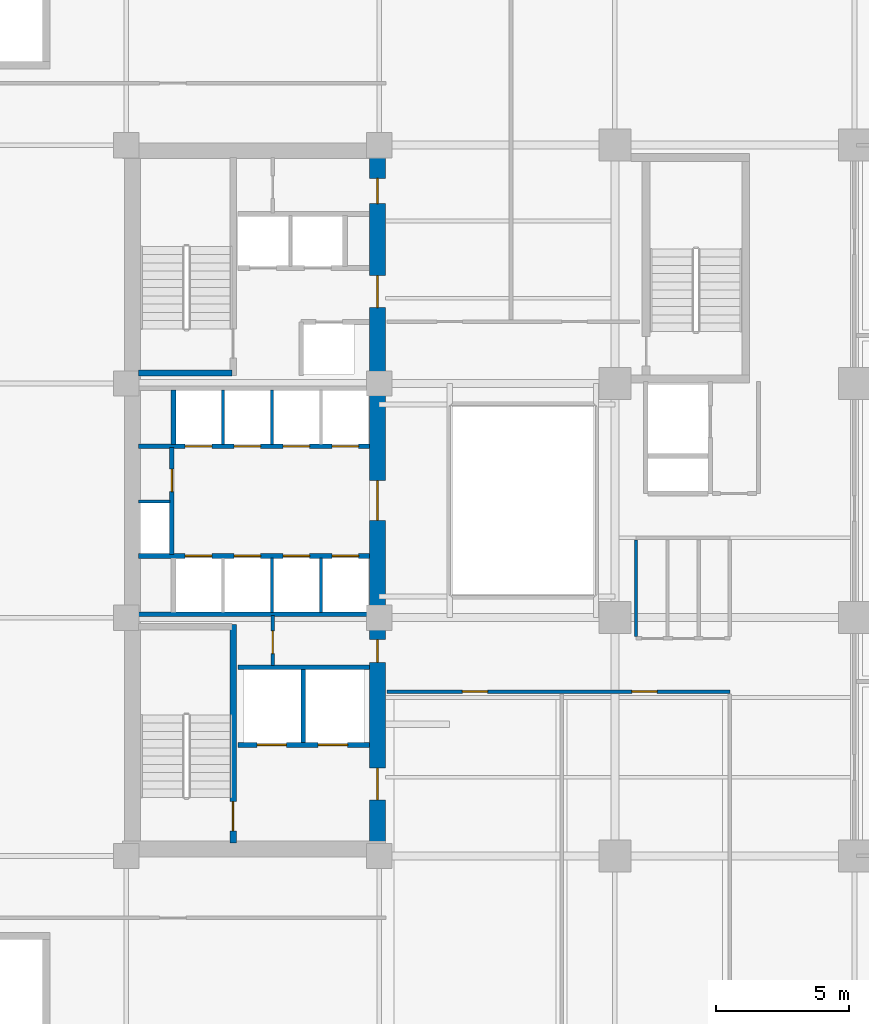
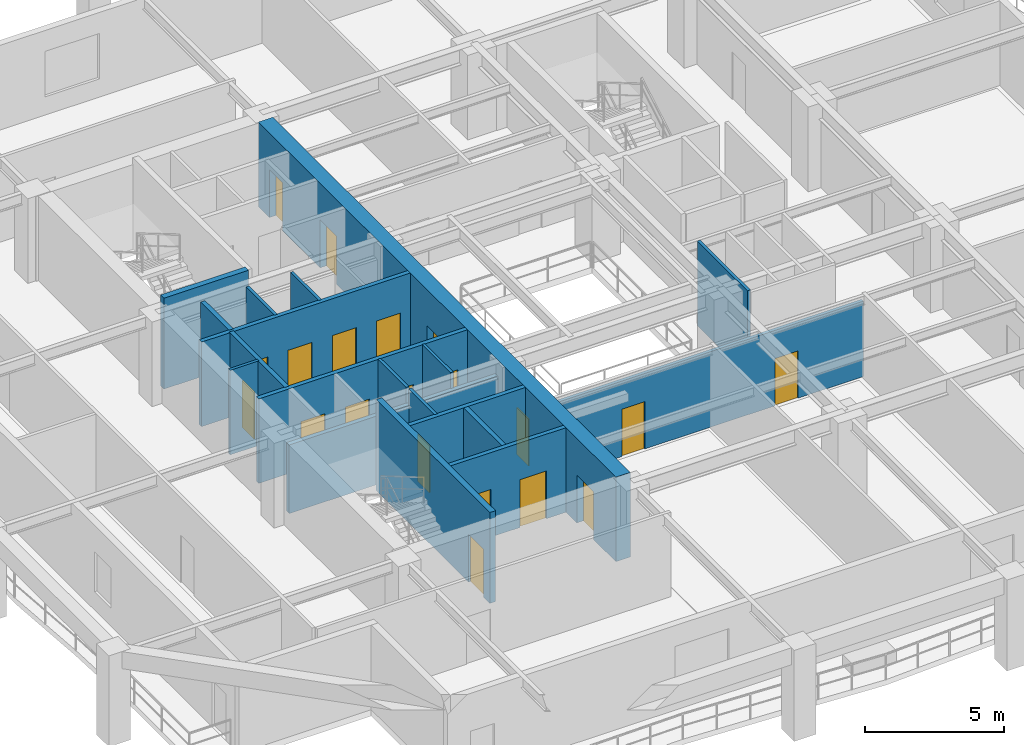
# One storey, part 3 of 12: 20 doors, 19 walls, 20 openings.
"""IFC4 building model written with IfcOpenShell, lengths in metres."""

from ifc_helpers import new_model, si_unit, direction, frame, frame_2d, origin, place, context, subcontext, project, spatial, rectangle, extrude, material, layer, layer_set, type_object, element, fill, save


model = new_model("IFC4")

# Units and contexts
model_context = context("Model", 3, precision=1e-05, world=origin(), true_north=direction((0.0, 1.0)))
body_context = subcontext(model_context, "Body", "Model", "MODEL_VIEW")
ifc_project = project(units=[si_unit("LENGTHUNIT", "METRE"), si_unit("AREAUNIT", "SQUARE_METRE"), si_unit("VOLUMEUNIT", "CUBIC_METRE"), si_unit("PLANEANGLEUNIT", "RADIAN"), si_unit("MASSUNIT", "GRAM", prefix="KILO")], contexts=[model_context])

# Site, building, storey
site_placement = place(None, origin())
site = spatial("IfcSite", under=ifc_project, at=site_placement, CompositionType="ELEMENT")
building_placement = place(site_placement, origin())
building = spatial("IfcBuilding", under=site, at=building_placement, Name="Kundavana Baori Tower", CompositionType="ELEMENT")
storey_placement = place(building_placement, frame((0.0, 0.0, 38.0)))
storey = spatial("IfcBuildingStorey", under=building, at=storey_placement, Name="L08", CompositionType="ELEMENT", Elevation=38.0)

# Wall, opening, door
ifc_material_1 = material(Name="Concrete C50/60", Category="concrete")
ifc_layer_1 = layer(ifc_material_1, 0.39990234375, Name="WL-CORE-400")
ifc_layer_set_1 = layer_set([ifc_layer_1], Name="Concrete C50/60")
wall_type_1 = type_object("IfcWallType", Name="WL-CORE-400", PredefinedType="SHEAR", material=ifc_layer_set_1)
wall_1_placement = place(storey_placement, frame((19.4599609375, 15.739990234375, 0.0), z_axis=(0.0, 0.0, 1.0), x_axis=(0.0, 1.0, 0.0)))
wall_1 = element("IfcWall", 1, at=wall_1_placement, inside=storey, type_object=wall_type_1, Name="WL-L08-ST1-E", PredefinedType="SHEAR", context=body_context, shape_type="SweptSolid", body=[
    extrude(rectangle(XDim=8.199951171875, YDim=0.239990234375, at=frame_2d((4.10009765625, 0.0))), origin(), (0.0, 0.0, 1.0), 4.0),
])
opening_1_placement = place(wall_1_placement, frame((0.449951171875, 0.0, 0.0)))
opening_1 = element("IfcOpeningElement", 2, at=opening_1_placement, cuts=wall_1, Name="Opening FD-110", PredefinedType="OPENING", context=body_context, shape_type="SweptSolid", body=[
    extrude(rectangle(XDim=1.10009765625, YDim=2.10009765625, at=frame_2d((0.550048828125, 1.050048828125))), frame((0.0, 0.1298828125, 0.0), z_axis=(0.0, -1.0, 0.0), x_axis=(1.0, 0.0, 0.0)), (0.0, 0.0, 1.0), 0.260009765625),
])
ifc_material_2 = material(Name="Galvanised Steel Fire-Rated Door Leaf", Category="steel")
door_type_1 = type_object("IfcDoorType", Name="DR-FD120-1100", OperationType="NOTDEFINED", PredefinedType="DOOR", material=ifc_material_2)
door_1_placement = place(opening_1_placement, origin())
door_1 = element("IfcDoor", 3, at=door_1_placement, inside=storey, type_object=door_type_1, Name="DR-L08-ST1", OperationType="SINGLE_SWING_LEFT", OverallHeight=2.10009765625, OverallWidth=1.10009765625, PredefinedType="DOOR", context=body_context, shape_type="SweptSolid", body=[
    extrude(rectangle(XDim=1.10009765625, YDim=2.10009765625, at=frame_2d((0.550048828125, 1.050048828125))), frame((0.0, 0.02490234375, 0.0), z_axis=(0.0, -1.0, 0.0), x_axis=(1.0, 0.0, 0.0)), (0.0, 0.0, 1.0), 0.050048828125),
])
fill(opening_1, door_1)

# Wall
wall_2_placement = place(storey_placement, frame((15.89990234375, 33.389892578125, 0.0), z_axis=(0.0, 0.0, 1.0), x_axis=(1.0, 0.0, 0.0)))
element("IfcWall", 4, at=wall_2_placement, inside=storey, type_object=wall_type_1, Name="WL-L08-ST2-S", PredefinedType="SHEAR", context=body_context, shape_type="SweptSolid", body=[
    extrude(rectangle(XDim=3.52001953125, YDim=0.239990234375, at=frame_2d((1.760009765625, 0.0))), origin(), (0.0, 0.0, 1.0), 4.0),
])

# Wall, openings, doors
ifc_material_3 = material(Name="Concrete C60/75", Category="concrete")
ifc_layer_2 = layer(ifc_material_3, 0.60009765625, Name="WL-CORE-600")
ifc_layer_set_2 = layer_set([ifc_layer_2], Name="Concrete C60/75")
wall_type_2 = type_object("IfcWallType", Name="WL-CORE-600", PredefinedType="SHEAR", material=ifc_layer_set_2)
wall_3_placement = place(storey_placement, frame((24.8798828125, 15.739990234375, 0.0), z_axis=(0.0, 0.0, 1.0), x_axis=(0.0, 1.0, 0.0)))
wall_3 = element("IfcWall", 5, at=wall_3_placement, inside=storey, type_object=wall_type_2, Name="L08 Offset Core East Shear Wall", PredefinedType="SHEAR", context=body_context, shape_type="SweptSolid", body=[
    extrude(rectangle(XDim=25.760009765625, YDim=0.60009765625, at=frame_2d((12.8798828125, 0.0))), origin(), (0.0, 0.0, 1.0), 3.719970703125),
])
opening_2_placement = place(wall_3_placement, frame((1.610107421875, 0.0, 0.0)))
opening_2 = element("IfcOpeningElement", 6, at=opening_2_placement, cuts=wall_3, Name="Opening FD-120", PredefinedType="OPENING", context=body_context, shape_type="SweptSolid", body=[
    extrude(rectangle(XDim=1.199951171875, YDim=2.10009765625, at=frame_2d((0.60009765625, 1.050048828125))), frame((0.0, 0.31005859375, 0.0), z_axis=(0.0, -1.0, 0.0), x_axis=(1.0, 0.0, 0.0)), (0.0, 0.0, 1.0), 0.6201171875),
])
opening_3_placement = place(wall_3_placement, frame((6.780029296875, 0.0, 0.0)))
opening_3 = element("IfcOpeningElement", 7, at=opening_3_placement, cuts=wall_3, Name="Opening FD-085", PredefinedType="OPENING", context=body_context, shape_type="SweptSolid", body=[
    extrude(rectangle(XDim=0.85009765625, YDim=2.06005859375, at=frame_2d((0.425048828125, 1.030029296875))), frame((0.0, 0.31005859375, 0.0), z_axis=(0.0, -1.0, 0.0), x_axis=(1.0, 0.0, 0.0)), (0.0, 0.0, 1.0), 0.6201171875),
])
opening_4_placement = place(wall_3_placement, frame((12.110107421875, 0.0, 0.0)))
opening_4 = element("IfcOpeningElement", 8, at=opening_4_placement, cuts=wall_3, Name="Opening FD-150", PredefinedType="OPENING", context=body_context, shape_type="SweptSolid", body=[
    extrude(rectangle(XDim=1.5, YDim=2.1201171875, at=frame_2d((0.75, 1.06005859375))), frame((0.0, 0.31005859375, 0.0), z_axis=(0.0, -1.0, 0.0), x_axis=(1.0, 0.0, 0.0)), (0.0, 0.0, 1.0), 0.6201171875),
])
opening_5_placement = place(wall_3_placement, frame((20.110107421875, 0.0, 0.0)))
opening_5 = element("IfcOpeningElement", 9, at=opening_5_placement, cuts=wall_3, Name="Opening FD-122", PredefinedType="OPENING", context=body_context, shape_type="SweptSolid", body=[
    extrude(rectangle(XDim=1.199951171875, YDim=2.1201171875, at=frame_2d((0.60009765625, 1.06005859375))), frame((0.0, 0.31005859375, 0.0), z_axis=(0.0, -1.0, 0.0), x_axis=(1.0, 0.0, 0.0)), (0.0, 0.0, 1.0), 0.6201171875),
])
opening_6_placement = place(wall_3_placement, frame((24.010009765625, 0.0, 0.0)))
opening_6 = element("IfcOpeningElement", 10, at=opening_6_placement, cuts=wall_3, Name="Opening FD-095", PredefinedType="OPENING", context=body_context, shape_type="SweptSolid", body=[
    extrude(rectangle(XDim=0.949951171875, YDim=2.10009765625, at=frame_2d((0.47509765625, 1.050048828125))), frame((0.0, 0.31005859375, 0.0), z_axis=(0.0, -1.0, 0.0), x_axis=(1.0, 0.0, 0.0)), (0.0, 0.0, 1.0), 0.6201171875),
])
ifc_material_4 = material(Name="Galvanised Steel Fire-Rated Door Leaf", Category="steel")
door_type_2 = type_object("IfcDoorType", Name="DR-FD120-1200", OperationType="NOTDEFINED", PredefinedType="DOOR", material=ifc_material_4)
door_2_placement = place(opening_2_placement, frame((1.199951171875, 0.0, 0.0), z_axis=(0.0, 0.0, 1.0), x_axis=(-1.0, 0.0, 0.0)))
door_2 = element("IfcDoor", 11, at=door_2_placement, inside=storey, type_object=door_type_2, Name="DR-L08-FFLOB-E", OperationType="SINGLE_SWING_RIGHT", OverallHeight=2.10009765625, OverallWidth=1.199951171875, PredefinedType="DOOR", context=body_context, shape_type="SweptSolid", body=[
    extrude(rectangle(XDim=1.199951171875, YDim=2.10009765625, at=frame_2d((0.60009765625, 1.050048828125))), frame((0.0, 0.02490234375, 0.0), z_axis=(0.0, -1.0, 0.0), x_axis=(1.0, 0.0, 0.0)), (0.0, 0.0, 1.0), 0.050048828125),
])
fill(opening_2, door_2)
ifc_material_5 = material(Name="Galvanised Steel Fire-Rated Door Leaf", Category="steel")
door_type_3 = type_object("IfcDoorType", Name="DR-FD60-1200", OperationType="NOTDEFINED", PredefinedType="DOOR", material=ifc_material_5)
door_3_placement = place(opening_5_placement, frame((1.199951171875, 0.0, 0.0), z_axis=(0.0, 0.0, 1.0), x_axis=(-1.0, 0.0, 0.0)))
door_3 = element("IfcDoor", 12, at=door_3_placement, inside=storey, type_object=door_type_3, Name="DR-L08-HRLOB-E", OperationType="SINGLE_SWING_RIGHT", OverallHeight=2.1201171875, OverallWidth=1.199951171875, PredefinedType="DOOR", context=body_context, shape_type="SweptSolid", body=[
    extrude(rectangle(XDim=1.199951171875, YDim=2.1201171875, at=frame_2d((0.60009765625, 1.06005859375))), frame((0.0, 0.02490234375, 0.0), z_axis=(0.0, -1.0, 0.0), x_axis=(1.0, 0.0, 0.0)), (0.0, 0.0, 1.0), 0.050048828125),
])
fill(opening_5, door_3)
ifc_material_6 = material(Name="Galvanised Steel Fire-Rated Door Leaf", Category="steel")
door_type_4 = type_object("IfcDoorType", Name="DR-FD60-1500", OperationType="NOTDEFINED", PredefinedType="DOOR", material=ifc_material_6)
door_4_placement = place(opening_4_placement, frame((1.5, 0.0, 0.0), z_axis=(0.0, 0.0, 1.0), x_axis=(-1.0, 0.0, 0.0)))
door_4 = element("IfcDoor", 13, at=door_4_placement, inside=storey, type_object=door_type_4, Name="DR-L08-LIFTHALL-E", OperationType="SINGLE_SWING_LEFT", OverallHeight=2.1201171875, OverallWidth=1.5, PredefinedType="DOOR", context=body_context, shape_type="SweptSolid", body=[
    extrude(rectangle(XDim=1.5, YDim=2.1201171875, at=frame_2d((0.75, 1.06005859375))), frame((0.0, 0.02490234375, 0.0), z_axis=(0.0, -1.0, 0.0), x_axis=(1.0, 0.0, 0.0)), (0.0, 0.0, 1.0), 0.050048828125),
])
fill(opening_4, door_4)
ifc_material_7 = material(Name="Galvanised Steel Fire-Rated Door Leaf", Category="steel")
door_type_5 = type_object("IfcDoorType", Name="DR-FD60-850", OperationType="NOTDEFINED", PredefinedType="DOOR", material=ifc_material_7)
door_5_placement = place(opening_3_placement, frame((0.85009765625, 0.0, 0.0), z_axis=(0.0, 0.0, 1.0), x_axis=(-1.0, 0.0, 0.0)))
door_5 = element("IfcDoor", 14, at=door_5_placement, inside=storey, type_object=door_type_5, Name="DR-L08-CSMK2", OperationType="SINGLE_SWING_LEFT", OverallHeight=2.06005859375, OverallWidth=0.85009765625, PredefinedType="DOOR", context=body_context, shape_type="SweptSolid", body=[
    extrude(rectangle(XDim=0.85009765625, YDim=2.06005859375, at=frame_2d((0.425048828125, 1.030029296875))), frame((0.0, 0.02490234375, 0.0), z_axis=(0.0, -1.0, 0.0), x_axis=(1.0, 0.0, 0.0)), (0.0, 0.0, 1.0), 0.050048828125),
])
fill(opening_3, door_5)
ifc_material_8 = material(Name="Engineered Teak Fire-Rated Timber Door Leaf", Category="wood")
door_type_6 = type_object("IfcDoorType", Name="DR-FD60-950", OperationType="NOTDEFINED", PredefinedType="DOOR", material=ifc_material_8)
door_6_placement = place(opening_6_placement, frame((0.949951171875, 0.0, 0.0), z_axis=(0.0, 0.0, 1.0), x_axis=(-1.0, 0.0, 0.0)))
door_6 = element("IfcDoor", 15, at=door_6_placement, inside=storey, type_object=door_type_6, Name="DR-L08-CSRV2", OperationType="SINGLE_SWING_LEFT", OverallHeight=2.10009765625, OverallWidth=0.949951171875, PredefinedType="DOOR", context=body_context, shape_type="SweptSolid", body=[
    extrude(rectangle(XDim=0.949951171875, YDim=2.10009765625, at=frame_2d((0.47509765625, 1.050048828125))), frame((0.0, 0.02490234375, 0.0), z_axis=(0.0, -1.0, 0.0), x_axis=(1.0, 0.0, 0.0)), (0.0, 0.0, 1.0), 0.050048828125),
])
fill(opening_6, door_6)

# Wall, opening, door
ifc_material_9 = material(Name="Acoustic Gypsum Plasterboard on Galvanised Steel Studs", Category="steel")
ifc_layer_3 = layer(ifc_material_9, 0.1201171875, Name="WL-PART-120")
ifc_layer_set_3 = layer_set([ifc_layer_3], Name="Acoustic Gypsum Plasterboard on Galvanised Steel Studs")
wall_type_3 = type_object("IfcWallType", Name="WL-PART-120", PredefinedType="PARTITIONING", material=ifc_layer_set_3)
wall_4_placement = place(storey_placement, frame((20.949951171875, 22.39990234375, 0.0), z_axis=(0.0, 0.0, 1.0), x_axis=(0.0, 1.0, 0.0)))
wall_4 = element("IfcWall", 16, at=wall_4_placement, inside=storey, type_object=wall_type_3, Name="WL-L08-CSMK-D2", PredefinedType="PARTITIONING", context=body_context, shape_type="SweptSolid", body=[
    extrude(rectangle(XDim=1.880126953125, YDim=0.1201171875, at=frame_2d((0.93994140625, 0.0))), origin(), (0.0, 0.0, 1.0), 3.719970703125),
])
opening_7_placement = place(wall_4_placement, frame((0.449951171875, 0.0, 0.0)))
opening_7 = element("IfcOpeningElement", 17, at=opening_7_placement, cuts=wall_4, Name="Opening FD-085", PredefinedType="OPENING", context=body_context, shape_type="SweptSolid", body=[
    extrude(rectangle(XDim=0.85009765625, YDim=2.06005859375, at=frame_2d((0.425048828125, 1.030029296875))), frame((0.0, 0.070068359375, 0.0), z_axis=(0.0, -1.0, 0.0), x_axis=(1.0, 0.0, 0.0)), (0.0, 0.0, 1.0), 0.14013671875),
])
door_7_placement = place(opening_7_placement, origin())
door_7 = element("IfcDoor", 18, at=door_7_placement, inside=storey, type_object=door_type_5, Name="DR-L08-CSMK1", OperationType="SINGLE_SWING_RIGHT", OverallHeight=2.06005859375, OverallWidth=0.85009765625, PredefinedType="DOOR", context=body_context, shape_type="SweptSolid", body=[
    extrude(rectangle(XDim=0.85009765625, YDim=2.06005859375, at=frame_2d((0.425048828125, 1.030029296875))), frame((0.0, 0.02490234375, 0.0), z_axis=(0.0, -1.0, 0.0), x_axis=(1.0, 0.0, 0.0)), (0.0, 0.0, 1.0), 0.050048828125),
])
fill(opening_7, door_7)

# Walls
for number, where, z_axis, x_axis, name in (
    (19, (20.919921875, 24.39990234375, 0.0), (0.0, 0.0, 1.0), (0.0, 1.0, 0.0), "WL-L08-LPLOW-D2"),
    (20, (22.760009765625, 24.39990234375, 0.0), (0.0, 0.0, 1.0), (0.0, 1.0, 0.0), "WL-L08-LPLOW-D3"),
):
    element("IfcWall", number, at=place(storey_placement, frame(where, z_axis=z_axis, x_axis=x_axis)), inside=storey, type_object=wall_type_3, Name=name, PredefinedType="PARTITIONING", context=body_context, shape_type="SweptSolid", body=[
        extrude(rectangle(XDim=2.050048828125, YDim=0.1201171875, at=frame_2d((1.02490234375, 0.0))), origin(), (0.0, 0.0, 1.0), 3.719970703125),
    ])
wall_5_placement = place(storey_placement, frame((15.89990234375, 28.56005859375, 0.0), z_axis=(0.0, 0.0, 1.0), x_axis=(1.0, 0.0, 0.0)))
element("IfcWall", 21, at=wall_5_placement, inside=storey, type_object=wall_type_3, Name="WL-L08-RSRW-N", PredefinedType="PARTITIONING", context=body_context, shape_type="SweptSolid", body=[
    extrude(rectangle(XDim=1.2001953125, YDim=0.1201171875, at=frame_2d((0.60009765625, 0.0))), origin(), (0.0, 0.0, 1.0), 3.719970703125),
])
for number, where, z_axis, x_axis, name in (
    (22, (19.080078125, 30.699951171875, 0.0), (0.0, 0.0, 1.0), (0.0, 1.0, 0.0), "WL-L08-LPMID-D1"),
    (23, (20.919921875, 30.699951171875, 0.0), (0.0, 0.0, 1.0), (0.0, 1.0, 0.0), "WL-L08-LPMID-D2"),
):
    element("IfcWall", number, at=place(storey_placement, frame(where, z_axis=z_axis, x_axis=x_axis)), inside=storey, type_object=wall_type_3, Name=name, PredefinedType="PARTITIONING", context=body_context, shape_type="SweptSolid", body=[
        extrude(rectangle(XDim=2.050048828125, YDim=0.1201171875, at=frame_2d((1.02490234375, 0.0))), origin(), (0.0, 0.0, 1.0), 3.719970703125),
    ])

# Wall, openings, doors
ifc_material_10 = material(Name="Acoustic Gypsum Plasterboard on Galvanised Steel Studs", Category="steel")
ifc_layer_4 = layer(ifc_material_10, 0.135009765625, Name="WL-PART-135")
ifc_layer_set_4 = layer_set([ifc_layer_4], Name="Acoustic Gypsum Plasterboard on Galvanised Steel Studs")
wall_type_4 = type_object("IfcWallType", Name="WL-PART-135", PredefinedType="PARTITIONING", material=ifc_layer_set_4)
wall_6_placement = place(storey_placement, frame((25.25, 21.419921875, 0.0), z_axis=(0.0, 0.0, 1.0), x_axis=(1.0, 0.0, 0.0)))
wall_6 = element("IfcWall", 24, at=wall_6_placement, inside=storey, type_object=wall_type_4, Name="WL-L08-OFS", PredefinedType="PARTITIONING", context=body_context, shape_type="SweptSolid", body=[
    extrude(rectangle(XDim=12.8701171875, YDim=0.135009765625, at=frame_2d((6.43505859375, 0.0))), origin(), (0.0, 0.0, 1.0), 3.320068359375),
])
opening_8_placement = place(wall_6_placement, frame((2.824951171875, 0.0, 0.0)))
opening_8 = element("IfcOpeningElement", 25, at=opening_8_placement, cuts=wall_6, Name="Opening ID-095", PredefinedType="OPENING", context=body_context, shape_type="SweptSolid", body=[
    extrude(rectangle(XDim=0.949951171875, YDim=2.080078125, at=frame_2d((0.47509765625, 1.0400390625))), frame((0.0, 0.07763671875, 0.0), z_axis=(0.0, -1.0, 0.0), x_axis=(1.0, 0.0, 0.0)), (0.0, 0.0, 1.0), 0.155029296875),
])
opening_9_placement = place(wall_6_placement, frame((9.195068359375, 0.0, 0.0)))
opening_9 = element("IfcOpeningElement", 26, at=opening_9_placement, cuts=wall_6, Name="Opening ID-095", PredefinedType="OPENING", context=body_context, shape_type="SweptSolid", body=[
    extrude(rectangle(XDim=0.949951171875, YDim=2.080078125, at=frame_2d((0.47509765625, 1.0400390625))), frame((0.0, 0.07763671875, 0.0), z_axis=(0.0, -1.0, 0.0), x_axis=(1.0, 0.0, 0.0)), (0.0, 0.0, 1.0), 0.155029296875),
])
ifc_material_11 = material(Name="Engineered Teak Solid-Core Timber Veneer", Category="wood")
door_type_7 = type_object("IfcDoorType", Name="DR-INT-950", OperationType="NOTDEFINED", PredefinedType="DOOR", material=ifc_material_11)
door_8_placement = place(opening_8_placement, frame((0.949951171875, 0.0, 0.0), z_axis=(0.0, 0.0, 1.0), x_axis=(-1.0, 0.0, 0.0)))
door_8 = element("IfcDoor", 27, at=door_8_placement, inside=storey, type_object=door_type_7, Name="DR-L08-OFS1", OperationType="SINGLE_SWING_LEFT", OverallHeight=2.080078125, OverallWidth=0.949951171875, PredefinedType="DOOR", context=body_context, shape_type="SweptSolid", body=[
    extrude(rectangle(XDim=0.949951171875, YDim=2.080078125, at=frame_2d((0.47509765625, 1.0400390625))), frame((0.0, 0.02490234375, 0.0), z_axis=(0.0, -1.0, 0.0), x_axis=(1.0, 0.0, 0.0)), (0.0, 0.0, 1.0), 0.050048828125),
])
fill(opening_8, door_8)
door_9_placement = place(opening_9_placement, frame((0.949951171875, 0.0, 0.0), z_axis=(0.0, 0.0, 1.0), x_axis=(-1.0, 0.0, 0.0)))
door_9 = element("IfcDoor", 28, at=door_9_placement, inside=storey, type_object=door_type_7, Name="DR-L08-OFS2", OperationType="SINGLE_SWING_RIGHT", OverallHeight=2.080078125, OverallWidth=0.949951171875, PredefinedType="DOOR", context=body_context, shape_type="SweptSolid", body=[
    extrude(rectangle(XDim=0.949951171875, YDim=2.080078125, at=frame_2d((0.47509765625, 1.0400390625))), frame((0.0, 0.02490234375, 0.0), z_axis=(0.0, -1.0, 0.0), x_axis=(1.0, 0.0, 0.0)), (0.0, 0.0, 1.0), 0.050048828125),
])
fill(opening_9, door_9)

ifc_material_12 = material(Name="Autoclaved Aerated Concrete Blockwork Masonry", Category="masonry")
ifc_layer_5 = layer(ifc_material_12, 0.179931640625, Name="WL-SHAFT-180")
ifc_layer_set_5 = layer_set([ifc_layer_5], Name="Autoclaved Aerated Concrete Blockwork Masonry")
wall_type_5 = type_object("IfcWallType", Name="WL-SHAFT-180", PredefinedType="SOLIDWALL", material=ifc_layer_set_5)
wall_7_placement = place(storey_placement, frame((19.639892578125, 19.419921875, 0.0), z_axis=(0.0, 0.0, 1.0), x_axis=(1.0, 0.0, 0.0)))
wall_7 = element("IfcWall", 29, at=wall_7_placement, inside=storey, type_object=wall_type_5, Name="WL-L08-FFL-S", PredefinedType="SOLIDWALL", context=body_context, shape_type="SweptSolid", body=[
    extrude(rectangle(XDim=4.940185546875, YDim=0.179931640625, at=frame_2d((2.47021484375, 0.0))), origin(), (0.0, 0.0, 1.0), 3.719970703125),
])
opening_10_placement = place(wall_7_placement, frame((0.719970703125, 0.0, 0.0)))
opening_10 = element("IfcOpeningElement", 30, at=opening_10_placement, cuts=wall_7, Name="Opening LD-110", PredefinedType="OPENING", context=body_context, shape_type="SweptSolid", body=[
    extrude(rectangle(XDim=1.10009765625, YDim=2.10009765625, at=frame_2d((0.550048828125, 1.050048828125))), frame((0.0, 0.10009765625, 0.0), z_axis=(0.0, -1.0, 0.0), x_axis=(1.0, 0.0, 0.0)), (0.0, 0.0, 1.0), 0.199951171875),
])
opening_11_placement = place(wall_7_placement, frame((3.02001953125, 0.0, 0.0)))
opening_11 = element("IfcOpeningElement", 31, at=opening_11_placement, cuts=wall_7, Name="Opening LD-110", PredefinedType="OPENING", context=body_context, shape_type="SweptSolid", body=[
    extrude(rectangle(XDim=1.10009765625, YDim=2.10009765625, at=frame_2d((0.550048828125, 1.050048828125))), frame((0.0, 0.10009765625, 0.0), z_axis=(0.0, -1.0, 0.0), x_axis=(1.0, 0.0, 0.0)), (0.0, 0.0, 1.0), 0.199951171875),
])
ifc_material_13 = material(Name="Galvanised Steel Fire-Rated Door Leaf", Category="steel")
door_type_8 = type_object("IfcDoorType", Name="DR-SLIDE-LD1100", OperationType="NOTDEFINED", PredefinedType="DOOR", material=ifc_material_13)
door_10_placement = place(opening_10_placement, origin())
door_10 = element("IfcDoor", 32, at=door_10_placement, inside=storey, type_object=door_type_8, Name="DR-L08-LD-FFL-1", OperationType="DOUBLE_DOOR_SLIDING", OverallHeight=2.10009765625, OverallWidth=1.10009765625, PredefinedType="DOOR", context=body_context, shape_type="SweptSolid", body=[
    extrude(rectangle(XDim=1.10009765625, YDim=2.10009765625, at=frame_2d((0.550048828125, 1.050048828125))), frame((0.0, 0.02490234375, 0.0), z_axis=(0.0, -1.0, 0.0), x_axis=(1.0, 0.0, 0.0)), (0.0, 0.0, 1.0), 0.050048828125),
])
fill(opening_10, door_10)
door_11_placement = place(opening_11_placement, origin())
door_11 = element("IfcDoor", 33, at=door_11_placement, inside=storey, type_object=door_type_8, Name="DR-L08-LD-FFL-2", OperationType="DOUBLE_DOOR_SLIDING", OverallHeight=2.10009765625, OverallWidth=1.10009765625, PredefinedType="DOOR", context=body_context, shape_type="SweptSolid", body=[
    extrude(rectangle(XDim=1.10009765625, YDim=2.10009765625, at=frame_2d((0.550048828125, 1.050048828125))), frame((0.0, 0.02490234375, 0.0), z_axis=(0.0, -1.0, 0.0), x_axis=(1.0, 0.0, 0.0)), (0.0, 0.0, 1.0), 0.050048828125),
])
fill(opening_11, door_11)

# Walls
wall_8_placement = place(storey_placement, frame((22.10009765625, 19.510009765625, 0.0), z_axis=(0.0, 0.0, 1.0), x_axis=(0.0, 1.0, 0.0)))
element("IfcWall", 34, at=wall_8_placement, inside=storey, type_object=wall_type_5, Name="WL-L08-FFL-MID", PredefinedType="SOLIDWALL", context=body_context, shape_type="SweptSolid", body=[
    extrude(rectangle(XDim=2.739990234375, YDim=0.179931640625, at=frame_2d((1.3701171875, 0.0))), origin(), (0.0, 0.0, 1.0), 3.719970703125),
])
wall_9_placement = place(storey_placement, frame((19.639892578125, 22.340087890625, 0.0), z_axis=(0.0, 0.0, 1.0), x_axis=(1.0, 0.0, 0.0)))
element("IfcWall", 35, at=wall_9_placement, inside=storey, type_object=wall_type_5, Name="WL-L08-FFL-N", PredefinedType="SOLIDWALL", context=body_context, shape_type="SweptSolid", body=[
    extrude(rectangle(XDim=4.940185546875, YDim=0.179931640625, at=frame_2d((2.47021484375, 0.0))), origin(), (0.0, 0.0, 1.0), 3.719970703125),
])

# Wall, openings, doors
wall_10_placement = place(storey_placement, frame((15.89990234375, 26.52001953125, 0.0), z_axis=(0.0, 0.0, 1.0), x_axis=(1.0, 0.0, 0.0)))
wall_10 = element("IfcWall", 36, at=wall_10_placement, inside=storey, type_object=wall_type_5, Name="WL-L08-LPLOW-N", PredefinedType="SOLIDWALL", context=body_context, shape_type="SweptSolid", body=[
    extrude(rectangle(XDim=8.68017578125, YDim=0.179931640625, at=frame_2d((4.340087890625, 0.0))), origin(), (0.0, 0.0, 1.0), 3.719970703125),
])
opening_12_placement = place(wall_10_placement, frame((1.760009765625, 0.0, 0.0)))
opening_12 = element("IfcOpeningElement", 37, at=opening_12_placement, cuts=wall_10, Name="Opening LD-100", PredefinedType="OPENING", context=body_context, shape_type="SweptSolid", body=[
    extrude(rectangle(XDim=1.0, YDim=2.10009765625, at=frame_2d((0.5, 1.050048828125))), frame((0.0, 0.10009765625, 0.0), z_axis=(0.0, -1.0, 0.0), x_axis=(1.0, 0.0, 0.0)), (0.0, 0.0, 1.0), 0.199951171875),
])
opening_13_placement = place(wall_10_placement, frame((3.60009765625, 0.0, 0.0)))
opening_13 = element("IfcOpeningElement", 38, at=opening_13_placement, cuts=wall_10, Name="Opening LD-100", PredefinedType="OPENING", context=body_context, shape_type="SweptSolid", body=[
    extrude(rectangle(XDim=1.0, YDim=2.10009765625, at=frame_2d((0.5, 1.050048828125))), frame((0.0, 0.10009765625, 0.0), z_axis=(0.0, -1.0, 0.0), x_axis=(1.0, 0.0, 0.0)), (0.0, 0.0, 1.0), 0.199951171875),
])
opening_14_placement = place(wall_10_placement, frame((5.43994140625, 0.0, 0.0)))
opening_14 = element("IfcOpeningElement", 39, at=opening_14_placement, cuts=wall_10, Name="Opening LD-100", PredefinedType="OPENING", context=body_context, shape_type="SweptSolid", body=[
    extrude(rectangle(XDim=1.0, YDim=2.10009765625, at=frame_2d((0.5, 1.050048828125))), frame((0.0, 0.10009765625, 0.0), z_axis=(0.0, -1.0, 0.0), x_axis=(1.0, 0.0, 0.0)), (0.0, 0.0, 1.0), 0.199951171875),
])
opening_15_placement = place(wall_10_placement, frame((7.280029296875, 0.0, 0.0)))
opening_15 = element("IfcOpeningElement", 40, at=opening_15_placement, cuts=wall_10, Name="Opening LD-100", PredefinedType="OPENING", context=body_context, shape_type="SweptSolid", body=[
    extrude(rectangle(XDim=1.0, YDim=2.10009765625, at=frame_2d((0.5, 1.050048828125))), frame((0.0, 0.10009765625, 0.0), z_axis=(0.0, -1.0, 0.0), x_axis=(1.0, 0.0, 0.0)), (0.0, 0.0, 1.0), 0.199951171875),
])
ifc_material_14 = material(Name="Galvanised Steel Fire-Rated Door Leaf", Category="steel")
door_type_9 = type_object("IfcDoorType", Name="DR-SLIDE-LD1000", OperationType="NOTDEFINED", PredefinedType="DOOR", material=ifc_material_14)
door_12_placement = place(opening_12_placement, origin())
door_12 = element("IfcDoor", 41, at=door_12_placement, inside=storey, type_object=door_type_9, Name="DR-L08-LD-LP-01", OperationType="DOUBLE_DOOR_SLIDING", OverallHeight=2.10009765625, OverallWidth=1.0, PredefinedType="DOOR", context=body_context, shape_type="SweptSolid", body=[
    extrude(rectangle(XDim=1.0, YDim=2.10009765625, at=frame_2d((0.5, 1.050048828125))), frame((0.0, 0.02490234375, 0.0), z_axis=(0.0, -1.0, 0.0), x_axis=(1.0, 0.0, 0.0)), (0.0, 0.0, 1.0), 0.050048828125),
])
fill(opening_12, door_12)
door_13_placement = place(opening_13_placement, origin())
door_13 = element("IfcDoor", 42, at=door_13_placement, inside=storey, type_object=door_type_9, Name="DR-L08-LD-LP-02", OperationType="DOUBLE_DOOR_SLIDING", OverallHeight=2.10009765625, OverallWidth=1.0, PredefinedType="DOOR", context=body_context, shape_type="SweptSolid", body=[
    extrude(rectangle(XDim=1.0, YDim=2.10009765625, at=frame_2d((0.5, 1.050048828125))), frame((0.0, 0.02490234375, 0.0), z_axis=(0.0, -1.0, 0.0), x_axis=(1.0, 0.0, 0.0)), (0.0, 0.0, 1.0), 0.050048828125),
])
fill(opening_13, door_13)
door_14_placement = place(opening_14_placement, origin())
door_14 = element("IfcDoor", 43, at=door_14_placement, inside=storey, type_object=door_type_9, Name="DR-L08-LD-LP-03", OperationType="DOUBLE_DOOR_SLIDING", OverallHeight=2.10009765625, OverallWidth=1.0, PredefinedType="DOOR", context=body_context, shape_type="SweptSolid", body=[
    extrude(rectangle(XDim=1.0, YDim=2.10009765625, at=frame_2d((0.5, 1.050048828125))), frame((0.0, 0.02490234375, 0.0), z_axis=(0.0, -1.0, 0.0), x_axis=(1.0, 0.0, 0.0)), (0.0, 0.0, 1.0), 0.050048828125),
])
fill(opening_14, door_14)
door_15_placement = place(opening_15_placement, origin())
door_15 = element("IfcDoor", 44, at=door_15_placement, inside=storey, type_object=door_type_9, Name="DR-L08-LD-LP-04", OperationType="DOUBLE_DOOR_SLIDING", OverallHeight=2.10009765625, OverallWidth=1.0, PredefinedType="DOOR", context=body_context, shape_type="SweptSolid", body=[
    extrude(rectangle(XDim=1.0, YDim=2.10009765625, at=frame_2d((0.5, 1.050048828125))), frame((0.0, 0.02490234375, 0.0), z_axis=(0.0, -1.0, 0.0), x_axis=(1.0, 0.0, 0.0)), (0.0, 0.0, 1.0), 0.050048828125),
])
fill(opening_15, door_15)

# Wall
wall_11_placement = place(storey_placement, frame((15.89990234375, 24.330078125, 0.0), z_axis=(0.0, 0.0, 1.0), x_axis=(1.0, 0.0, 0.0)))
element("IfcWall", 45, at=wall_11_placement, inside=storey, type_object=wall_type_5, Name="WL-L08-LPLOW-S", PredefinedType="SOLIDWALL", context=body_context, shape_type="SweptSolid", body=[
    extrude(rectangle(XDim=8.68017578125, YDim=0.179931640625, at=frame_2d((4.340087890625, 0.0))), origin(), (0.0, 0.0, 1.0), 3.02001953125),
])

# Wall, opening, door
wall_12_placement = place(storey_placement, frame((17.159912109375, 26.580078125, 0.0), z_axis=(0.0, 0.0, 1.0), x_axis=(0.0, 1.0, 0.0)))
wall_12 = element("IfcWall", 46, at=wall_12_placement, inside=storey, type_object=wall_type_5, Name="WL-L08-RSRW-E", PredefinedType="SOLIDWALL", context=body_context, shape_type="SweptSolid", body=[
    extrude(rectangle(XDim=4.02001953125, YDim=0.179931640625, at=frame_2d((2.010009765625, 0.0))), origin(), (0.0, 0.0, 1.0), 3.719970703125),
])
opening_16_placement = place(wall_12_placement, frame((2.35009765625, 0.0, 0.0)))
opening_16 = element("IfcOpeningElement", 47, at=opening_16_placement, cuts=wall_12, Name="Opening FD-085", PredefinedType="OPENING", context=body_context, shape_type="SweptSolid", body=[
    extrude(rectangle(XDim=0.85009765625, YDim=2.06005859375, at=frame_2d((0.425048828125, 1.030029296875))), frame((0.0, 0.10009765625, 0.0), z_axis=(0.0, -1.0, 0.0), x_axis=(1.0, 0.0, 0.0)), (0.0, 0.0, 1.0), 0.199951171875),
])
door_16_placement = place(opening_16_placement, origin())
door_16 = element("IfcDoor", 48, at=door_16_placement, inside=storey, type_object=door_type_5, Name="DR-L08-CLN", OperationType="SINGLE_SWING_RIGHT", OverallHeight=2.06005859375, OverallWidth=0.85009765625, PredefinedType="DOOR", context=body_context, shape_type="SweptSolid", body=[
    extrude(rectangle(XDim=0.85009765625, YDim=2.06005859375, at=frame_2d((0.425048828125, 1.030029296875))), frame((0.0, 0.02490234375, 0.0), z_axis=(0.0, -1.0, 0.0), x_axis=(1.0, 0.0, 0.0)), (0.0, 0.0, 1.0), 0.050048828125),
])
fill(opening_16, door_16)

# Wall, openings, doors
wall_13_placement = place(storey_placement, frame((15.89990234375, 30.639892578125, 0.0), z_axis=(0.0, 0.0, 1.0), x_axis=(1.0, 0.0, 0.0)))
wall_13 = element("IfcWall", 49, at=wall_13_placement, inside=storey, type_object=wall_type_5, Name="WL-L08-LPMID-S", PredefinedType="SOLIDWALL", context=body_context, shape_type="SweptSolid", body=[
    extrude(rectangle(XDim=8.68017578125, YDim=0.179931640625, at=frame_2d((4.340087890625, 0.0))), origin(), (0.0, 0.0, 1.0), 3.719970703125),
])
opening_17_placement = place(wall_13_placement, frame((1.760009765625, 0.0, 0.0)))
opening_17 = element("IfcOpeningElement", 50, at=opening_17_placement, cuts=wall_13, Name="Opening LD-100", PredefinedType="OPENING", context=body_context, shape_type="SweptSolid", body=[
    extrude(rectangle(XDim=1.0, YDim=2.10009765625, at=frame_2d((0.5, 1.050048828125))), frame((0.0, 0.10009765625, 0.0), z_axis=(0.0, -1.0, 0.0), x_axis=(1.0, 0.0, 0.0)), (0.0, 0.0, 1.0), 0.199951171875),
])
opening_18_placement = place(wall_13_placement, frame((3.60009765625, 0.0, 0.0)))
opening_18 = element("IfcOpeningElement", 51, at=opening_18_placement, cuts=wall_13, Name="Opening LD-100", PredefinedType="OPENING", context=body_context, shape_type="SweptSolid", body=[
    extrude(rectangle(XDim=1.0, YDim=2.10009765625, at=frame_2d((0.5, 1.050048828125))), frame((0.0, 0.10009765625, 0.0), z_axis=(0.0, -1.0, 0.0), x_axis=(1.0, 0.0, 0.0)), (0.0, 0.0, 1.0), 0.199951171875),
])
opening_19_placement = place(wall_13_placement, frame((5.43994140625, 0.0, 0.0)))
opening_19 = element("IfcOpeningElement", 52, at=opening_19_placement, cuts=wall_13, Name="Opening LD-100", PredefinedType="OPENING", context=body_context, shape_type="SweptSolid", body=[
    extrude(rectangle(XDim=1.0, YDim=2.10009765625, at=frame_2d((0.5, 1.050048828125))), frame((0.0, 0.10009765625, 0.0), z_axis=(0.0, -1.0, 0.0), x_axis=(1.0, 0.0, 0.0)), (0.0, 0.0, 1.0), 0.199951171875),
])
opening_20_placement = place(wall_13_placement, frame((7.280029296875, 0.0, 0.0)))
opening_20 = element("IfcOpeningElement", 53, at=opening_20_placement, cuts=wall_13, Name="Opening LD-100", PredefinedType="OPENING", context=body_context, shape_type="SweptSolid", body=[
    extrude(rectangle(XDim=1.0, YDim=2.10009765625, at=frame_2d((0.5, 1.050048828125))), frame((0.0, 0.10009765625, 0.0), z_axis=(0.0, -1.0, 0.0), x_axis=(1.0, 0.0, 0.0)), (0.0, 0.0, 1.0), 0.199951171875),
])
door_17_placement = place(opening_17_placement, frame((1.0, 0.0, 0.0), z_axis=(0.0, 0.0, 1.0), x_axis=(-1.0, 0.0, 0.0)))
door_17 = element("IfcDoor", 54, at=door_17_placement, inside=storey, type_object=door_type_9, Name="DR-L08-LD-LP-05", OperationType="DOUBLE_DOOR_SLIDING", OverallHeight=2.10009765625, OverallWidth=1.0, PredefinedType="DOOR", context=body_context, shape_type="SweptSolid", body=[
    extrude(rectangle(XDim=1.0, YDim=2.10009765625, at=frame_2d((0.5, 1.050048828125))), frame((0.0, 0.02490234375, 0.0), z_axis=(0.0, -1.0, 0.0), x_axis=(1.0, 0.0, 0.0)), (0.0, 0.0, 1.0), 0.050048828125),
])
fill(opening_17, door_17)
door_18_placement = place(opening_18_placement, frame((1.0, 0.0, 0.0), z_axis=(0.0, 0.0, 1.0), x_axis=(-1.0, 0.0, 0.0)))
door_18 = element("IfcDoor", 55, at=door_18_placement, inside=storey, type_object=door_type_9, Name="DR-L08-LD-LP-06", OperationType="DOUBLE_DOOR_SLIDING", OverallHeight=2.10009765625, OverallWidth=1.0, PredefinedType="DOOR", context=body_context, shape_type="SweptSolid", body=[
    extrude(rectangle(XDim=1.0, YDim=2.10009765625, at=frame_2d((0.5, 1.050048828125))), frame((0.0, 0.02490234375, 0.0), z_axis=(0.0, -1.0, 0.0), x_axis=(1.0, 0.0, 0.0)), (0.0, 0.0, 1.0), 0.050048828125),
])
fill(opening_18, door_18)
door_19_placement = place(opening_19_placement, frame((1.0, 0.0, 0.0), z_axis=(0.0, 0.0, 1.0), x_axis=(-1.0, 0.0, 0.0)))
door_19 = element("IfcDoor", 56, at=door_19_placement, inside=storey, type_object=door_type_9, Name="DR-L08-LD-LP-07", OperationType="DOUBLE_DOOR_SLIDING", OverallHeight=2.10009765625, OverallWidth=1.0, PredefinedType="DOOR", context=body_context, shape_type="SweptSolid", body=[
    extrude(rectangle(XDim=1.0, YDim=2.10009765625, at=frame_2d((0.5, 1.050048828125))), frame((0.0, 0.02490234375, 0.0), z_axis=(0.0, -1.0, 0.0), x_axis=(1.0, 0.0, 0.0)), (0.0, 0.0, 1.0), 0.050048828125),
])
fill(opening_19, door_19)
door_20_placement = place(opening_20_placement, frame((1.0, 0.0, 0.0), z_axis=(0.0, 0.0, 1.0), x_axis=(-1.0, 0.0, 0.0)))
door_20 = element("IfcDoor", 57, at=door_20_placement, inside=storey, type_object=door_type_9, Name="DR-L08-LD-LP-08", OperationType="DOUBLE_DOOR_SLIDING", OverallHeight=2.10009765625, OverallWidth=1.0, PredefinedType="DOOR", context=body_context, shape_type="SweptSolid", body=[
    extrude(rectangle(XDim=1.0, YDim=2.10009765625, at=frame_2d((0.5, 1.050048828125))), frame((0.0, 0.02490234375, 0.0), z_axis=(0.0, -1.0, 0.0), x_axis=(1.0, 0.0, 0.0)), (0.0, 0.0, 1.0), 0.050048828125),
])
fill(opening_20, door_20)

# Walls
wall_14_placement = place(storey_placement, frame((17.219970703125, 30.699951171875, 0.0), z_axis=(0.0, 0.0, 1.0), x_axis=(0.0, 1.0, 0.0)))
element("IfcWall", 58, at=wall_14_placement, inside=storey, type_object=wall_type_5, Name="WL-L08-LPMID-W", PredefinedType="SOLIDWALL", context=body_context, shape_type="SweptSolid", body=[
    extrude(rectangle(XDim=2.050048828125, YDim=0.179931640625, at=frame_2d((1.02490234375, 0.0))), origin(), (0.0, 0.0, 1.0), 3.719970703125),
])
ifc_material_15 = material(Name="Autoclaved Aerated Concrete Blockwork Masonry", Category="masonry")
ifc_layer_6 = layer(ifc_material_15, 0.125, Name="WL-WET-120")
ifc_layer_set_6 = layer_set([ifc_layer_6], Name="Autoclaved Aerated Concrete Blockwork Masonry")
wall_type_6 = type_object("IfcWallType", Name="WL-WET-120", PredefinedType="PLUMBINGWALL", material=ifc_layer_set_6)
wall_15_placement = place(storey_placement, frame((34.60009765625, 23.5, 0.0), z_axis=(0.0, 0.0, 1.0), x_axis=(0.0, 1.0, 0.0)))
element("IfcWall", 59, at=wall_15_placement, inside=storey, type_object=wall_type_6, Name="WL-L08-WCW", PredefinedType="PLUMBINGWALL", context=body_context, shape_type="SweptSolid", body=[
    extrude(rectangle(XDim=3.6201171875, YDim=0.125, at=frame_2d((1.81005859375, 0.0))), origin(), (0.0, 0.0, 1.0), 3.719970703125),
])

save(model, "model.ifc")
